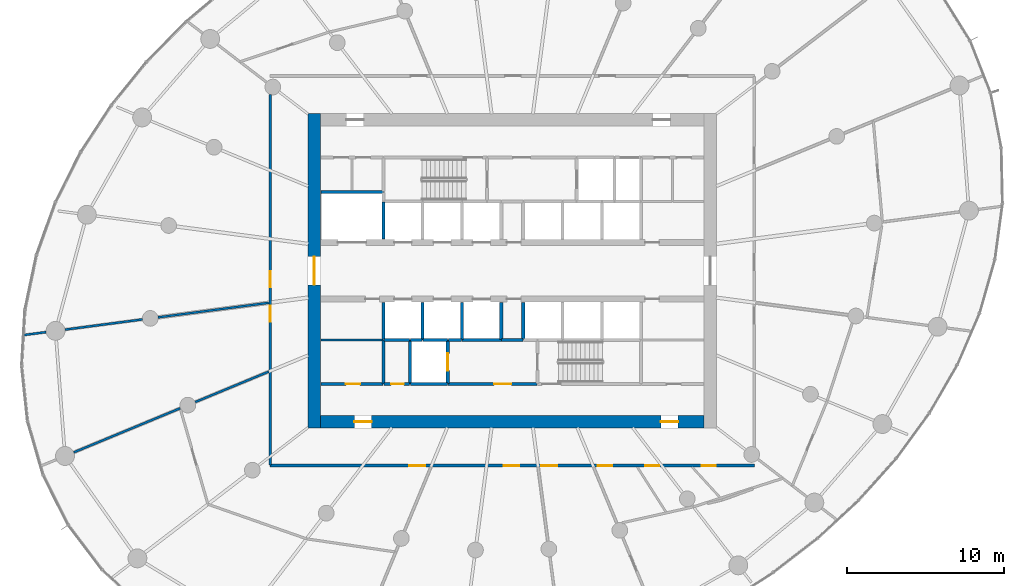
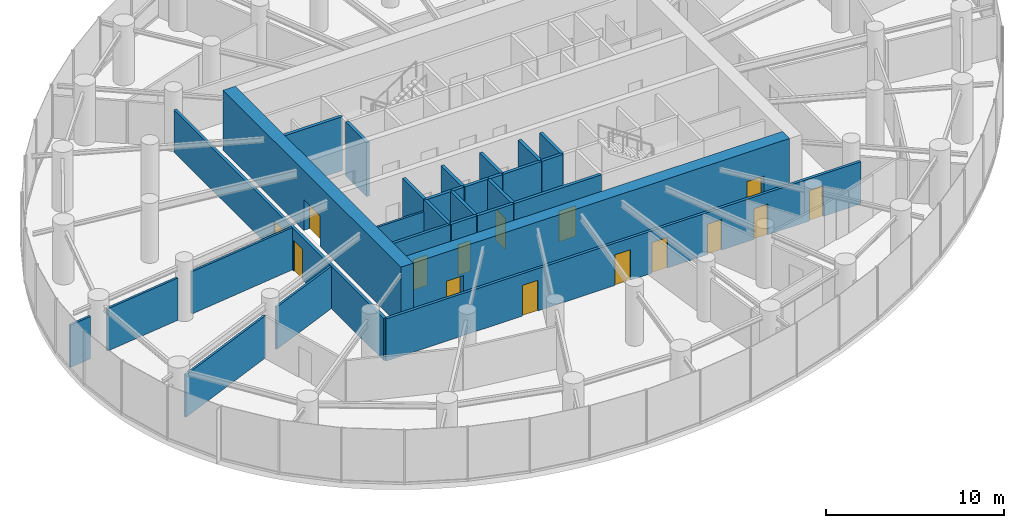
# One storey, part 10 of 17: 30 walls, 15 doors, 15 openings.
"""IFC4 building model written with IfcOpenShell, lengths in metres."""

from ifc_helpers import new_model, si_unit, direction, frame, frame_2d, origin, place, context, subcontext, project, spatial, rectangle, extrude, source, transform, mapped, material, layer, layer_set, type_object, element, fill, save


model = new_model("IFC4")

# Units and contexts
model_context = context("Model", 3, precision=1e-05, world=origin(), true_north=direction((0.0, 1.0)))
body_context = subcontext(model_context, "Body", "Model", "MODEL_VIEW")
ifc_project = project(units=[si_unit("LENGTHUNIT", "METRE"), si_unit("AREAUNIT", "SQUARE_METRE"), si_unit("VOLUMEUNIT", "CUBIC_METRE"), si_unit("PLANEANGLEUNIT", "RADIAN"), si_unit("MASSUNIT", "GRAM", prefix="KILO")], contexts=[model_context])

# Site, building, storey
site_placement = place(None, origin())
site = spatial("IfcSite", under=ifc_project, at=site_placement, CompositionType="ELEMENT")
building_placement = place(site_placement, origin())
building = spatial("IfcBuilding", under=site, at=building_placement, Name="Spindrift Exchange Tower", CompositionType="ELEMENT")
storey_placement = place(building_placement, frame((0.0, 0.0, 108.5)))
storey = spatial("IfcBuildingStorey", under=building, at=storey_placement, Name="L25", CompositionType="ELEMENT", Elevation=108.5)

# Wall, opening, door
ifc_material_1 = material(Name="Concrete 65 MPa", Category="concrete")
ifc_layer_1 = layer(ifc_material_1, 0.800048828125)
ifc_layer_set_1 = layer_set([ifc_layer_1], Name="RC Core Wall 800 Concrete 65 MPa")
wall_type_1 = type_object("IfcWallType", Name="RC Core Wall 800 Concrete 65 MPa", PredefinedType="SHEAR", material=ifc_layer_set_1)
wall_1_placement = place(storey_placement, frame((39.39990234375, 58.0, 0.0), z_axis=(0.0, 0.0, 1.0), x_axis=(0.0, -1.0, 0.0)))
wall_1 = element("IfcWall", 1, at=wall_1_placement, inside=storey, type_object=wall_type_1, Name="Core wall W L25", PredefinedType="SHEAR", context=body_context, shape_type="SweptSolid", body=[
    extrude(rectangle(XDim=20.0, YDim=0.800048828125, at=frame_2d((10.0, 0.0))), origin(), (0.0, 0.0, 1.0), 4.10009765625),
])
opening_1_placement = place(wall_1_placement, frame((9.10009765625, 0.0, 0.0)))
opening_1 = element("IfcOpeningElement", 2, at=opening_1_placement, cuts=wall_1, Name="Opening L25-D1", PredefinedType="OPENING", context=body_context, shape_type="SweptSolid", body=[
    extrude(rectangle(XDim=1.800048828125, YDim=2.10009765625, at=frame_2d((0.89990234375, 1.050048828125))), frame((0.0, 0.409912109375, 0.0), z_axis=(0.0, -1.0, 0.0), x_axis=(1.0, 0.0, 0.0)), (0.0, 0.0, 1.0), 0.820068359375),
])
ifc_material_2 = material(Name="Timber-core fire door", Category="wood")
door_type_1 = type_object("IfcDoorType", Name="DR-LOBBY-1800", OperationType="NOTDEFINED", PredefinedType="DOOR", material=ifc_material_2)
shared_shape_1 = source(origin(), body_context, "Body", "SweptSolid", [
    extrude(rectangle(XDim=1.800048828125, YDim=2.10009765625, at=frame_2d((0.89990234375, 1.050048828125))), frame((0.0, 0.02490234375, 0.0), z_axis=(0.0, -1.0, 0.0), x_axis=(1.0, 0.0, 0.0)), (0.0, 0.0, 1.0), 0.050048828125),
])
door_1_placement = place(opening_1_placement, origin())
door_1 = element("IfcDoor", 3, at=door_1_placement, inside=storey, type_object=door_type_1, Name="L25 Lobby door 1", OperationType="SINGLE_SWING_LEFT", OverallHeight=2.10009765625, OverallWidth=1.800048828125, PredefinedType="DOOR", context=body_context, shape_type="MappedRepresentation", body=[
    mapped(shared_shape_1, transform((0.0, 0.0, 0.0), scale=1.0)),
])
fill(opening_1, door_1)

# Wall, openings, doors
wall_2_placement = place(storey_placement, frame((39.800048828125, 38.39990234375, 0.0), z_axis=(0.0, 0.0, 1.0), x_axis=(1.0, 0.0, 0.0)))
wall_2 = element("IfcWall", 4, at=wall_2_placement, inside=storey, type_object=wall_type_1, Name="Core wall S L25", PredefinedType="SHEAR", context=body_context, shape_type="SweptSolid", body=[
    extrude(rectangle(XDim=24.39990234375, YDim=0.800048828125, at=frame_2d((12.199951171875, 0.0))), origin(), (0.0, 0.0, 1.0), 4.10009765625),
])
opening_2_placement = place(wall_2_placement, frame((21.64990234375, 0.0, 0.0)))
opening_2 = element("IfcOpeningElement", 5, at=opening_2_placement, cuts=wall_2, Name="Opening L25-D22", PredefinedType="OPENING", context=body_context, shape_type="SweptSolid", body=[
    extrude(rectangle(XDim=1.10009765625, YDim=2.10009765625, at=frame_2d((0.550048828125, 1.050048828125))), frame((0.0, 0.409912109375, 0.0), z_axis=(0.0, -1.0, 0.0), x_axis=(1.0, 0.0, 0.0)), (0.0, 0.0, 1.0), 0.820068359375),
])
opening_3_placement = place(wall_2_placement, frame((2.14990234375, 0.0, 0.0)))
opening_3 = element("IfcOpeningElement", 6, at=opening_3_placement, cuts=wall_2, Name="Opening L25-D23", PredefinedType="OPENING", context=body_context, shape_type="SweptSolid", body=[
    extrude(rectangle(XDim=1.10009765625, YDim=2.10009765625, at=frame_2d((0.550048828125, 1.050048828125))), frame((0.0, 0.409912109375, 0.0), z_axis=(0.0, -1.0, 0.0), x_axis=(1.0, 0.0, 0.0)), (0.0, 0.0, 1.0), 0.820068359375),
])
ifc_material_3 = material(Name="Steel fire door", Category="steel")
door_type_2 = type_object("IfcDoorType", Name="DR-STAIR-1100", OperationType="NOTDEFINED", PredefinedType="DOOR", material=ifc_material_3)
shared_shape_2 = source(origin(), body_context, "Body", "SweptSolid", [
    extrude(rectangle(XDim=1.10009765625, YDim=2.10009765625, at=frame_2d((0.550048828125, 1.050048828125))), frame((0.0, 0.02490234375, 0.0), z_axis=(0.0, -1.0, 0.0), x_axis=(1.0, 0.0, 0.0)), (0.0, 0.0, 1.0), 0.050048828125),
])
door_2_placement = place(opening_2_placement, origin())
door_2 = element("IfcDoor", 7, at=door_2_placement, inside=storey, type_object=door_type_2, Name="L25 Stair door 22", OperationType="SINGLE_SWING_RIGHT", OverallHeight=2.10009765625, OverallWidth=1.10009765625, PredefinedType="DOOR", context=body_context, shape_type="MappedRepresentation", body=[
    mapped(shared_shape_2, transform((0.0, 0.0, 0.0), scale=1.0)),
])
fill(opening_2, door_2)
door_3_placement = place(opening_3_placement, origin())
door_3 = element("IfcDoor", 8, at=door_3_placement, inside=storey, type_object=door_type_2, Name="L25 Stair door 23", OperationType="SINGLE_SWING_LEFT", OverallHeight=2.10009765625, OverallWidth=1.10009765625, PredefinedType="DOOR", context=body_context, shape_type="MappedRepresentation", body=[
    mapped(shared_shape_2, transform((0.0, 0.0, 0.0), scale=1.0)),
])
fill(opening_3, door_3)

# Wall, opening, door
ifc_material_4 = material(Name="Fire-rated plasterboard partition", Category="gypsum")
ifc_layer_2 = layer(ifc_material_4, 0.179931640625)
ifc_layer_set_2 = layer_set([ifc_layer_2], Name="W-CORR-180")
wall_type_2 = type_object("IfcWallType", Name="W-CORR-180", PredefinedType="PARTITIONING", material=ifc_layer_set_2)
wall_3_placement = place(storey_placement, frame((39.820068359375, 40.800048828125, 0.0), z_axis=(0.0, 0.0, 1.0), x_axis=(1.0, 0.0, 0.0)))
wall_3 = element("IfcWall", 9, at=wall_3_placement, inside=storey, type_object=wall_type_2, Name="L25 Partition wall 63", PredefinedType="PARTITIONING", context=body_context, shape_type="SweptSolid", body=[
    extrude(rectangle(XDim=3.949951171875, YDim=0.179931640625, at=frame_2d((1.97509765625, 0.0))), origin(), (0.0, 0.0, 1.0), 3.699951171875),
])
opening_4_placement = place(wall_3_placement, frame((1.60009765625, 0.0, 0.0)))
opening_4 = element("IfcOpeningElement", 10, at=opening_4_placement, cuts=wall_3, Name="Opening L25-D48", PredefinedType="OPENING", context=body_context, shape_type="SweptSolid", body=[
    extrude(rectangle(XDim=0.89990234375, YDim=2.10009765625, at=frame_2d((0.449951171875, 1.050048828125))), frame((0.0, 0.099853515625, 0.0), z_axis=(0.0, -1.0, 0.0), x_axis=(1.0, 0.0, 0.0)), (0.0, 0.0, 1.0), 0.199951171875),
])
ifc_material_5 = material(Name="Steel access door", Category="steel")
door_type_3 = type_object("IfcDoorType", Name="DR-RISER-900", OperationType="NOTDEFINED", PredefinedType="DOOR", material=ifc_material_5)
shared_shape_3 = source(origin(), body_context, "Body", "SweptSolid", [
    extrude(rectangle(XDim=0.89990234375, YDim=2.10009765625, at=frame_2d((0.449951171875, 1.050048828125))), frame((0.0, 0.02490234375, 0.0), z_axis=(0.0, -1.0, 0.0), x_axis=(1.0, 0.0, 0.0)), (0.0, 0.0, 1.0), 0.050048828125),
])
door_4_placement = place(opening_4_placement, origin())
door_4 = element("IfcDoor", 11, at=door_4_placement, inside=storey, type_object=door_type_3, Name="L25 Riser door 48", OperationType="SINGLE_SWING_RIGHT", OverallHeight=2.10009765625, OverallWidth=0.89990234375, PredefinedType="DOOR", context=body_context, shape_type="MappedRepresentation", body=[
    mapped(shared_shape_3, transform((0.0, 0.0, 0.0), scale=1.0)),
])
fill(opening_4, door_4)

# Walls
ifc_layer_3 = layer(ifc_material_4, 0.139892578125)
ifc_layer_set_3 = layer_set([ifc_layer_3], Name="W-PART-140")
wall_type_3 = type_object("IfcWallType", Name="W-PART-140", PredefinedType="PARTITIONING", material=ifc_layer_set_3)
wall_4_placement = place(storey_placement, frame((43.77001953125, 43.60009765625, 0.0), z_axis=(0.0, 0.0, 1.0), x_axis=(-1.0, 0.0, 0.0)))
element("IfcWall", 12, at=wall_4_placement, inside=storey, type_object=wall_type_3, Name="L25 Partition wall 94", PredefinedType="PARTITIONING", context=body_context, shape_type="SweptSolid", body=[
    extrude(rectangle(XDim=3.949951171875, YDim=0.139892578125, at=frame_2d((1.97509765625, 0.0))), origin(), (0.0, 0.0, 1.0), 2.89990234375),
])
ifc_layer_4 = layer(ifc_material_4, 0.139892578125)
ifc_layer_set_4 = layer_set([ifc_layer_4], Name="W-PLANT-140")
wall_type_4 = type_object("IfcWallType", Name="W-PLANT-140", PredefinedType="PARTITIONING", material=ifc_layer_set_4)
wall_5_placement = place(storey_placement, frame((30.8701171875, 39.247802734375, 0.0), z_axis=(0.0, 0.0, 1.0), x_axis=(-0.923871790576, -0.382702122514, 0.0)))
element("IfcWall", 13, at=wall_5_placement, inside=storey, type_object=wall_type_4, Name="L25 Partition wall 67", PredefinedType="PARTITIONING", context=body_context, shape_type="SweptSolid", body=[
    extrude(rectangle(XDim=7.32421875, YDim=0.139892578125, at=frame_2d((3.662109375, 0.0))), origin(), (0.0, 0.0, 1.0), 2.89990234375),
])
wall_6_placement = place(storey_placement, frame((36.510009765625, 45.960693359375, 0.0), z_axis=(0.0, 0.0, 1.0), x_axis=(-0.99144622305, -0.130515848849, 0.0)))
element("IfcWall", 14, at=wall_6_placement, inside=storey, type_object=wall_type_4, Name="L25 Partition wall 68", PredefinedType="PARTITIONING", context=body_context, shape_type="SweptSolid", body=[
    extrude(rectangle(XDim=7.1044921875, YDim=0.139892578125, at=frame_2d((3.55224609375, 0.0))), origin(), (0.0, 0.0, 1.0), 2.89990234375),
])
wall_7_placement = place(storey_placement, frame((36.510009765625, 41.583740234375, 0.0), z_axis=(0.0, 0.0, 1.0), x_axis=(-0.923890025086, -0.382658100067, 0.0)))
element("IfcWall", 15, at=wall_7_placement, inside=storey, type_object=wall_type_4, Name="L25 Partition wall 83", PredefinedType="PARTITIONING", context=body_context, shape_type="SweptSolid", body=[
    extrude(rectangle(XDim=5.068359375, YDim=0.139892578125, at=frame_2d((2.5341796875, 0.0))), origin(), (0.0, 0.0, 1.0), 2.89990234375),
])
wall_8_placement = place(storey_placement, frame((28.466064453125, 44.901611328125, 0.0), z_axis=(0.0, 0.0, 1.0), x_axis=(-0.991443414541, -0.130537181533, 0.0)))
element("IfcWall", 16, at=wall_8_placement, inside=storey, type_object=wall_type_4, Name="L25 Partition wall 85", PredefinedType="PARTITIONING", context=body_context, shape_type="SweptSolid", body=[
    extrude(rectangle(XDim=4.965576171875, YDim=0.139892578125, at=frame_2d((2.48291015625, 0.0))), origin(), (0.0, 0.0, 1.0), 2.89990234375),
])
wall_9_placement = place(storey_placement, frame((22.344482421875, 44.095703125, 0.0), z_axis=(0.0, 0.0, 1.0), x_axis=(-0.991440859851, -0.130556583206, 0.0)))
element("IfcWall", 17, at=wall_9_placement, inside=storey, type_object=wall_type_4, Name="L25 Partition wall 115", PredefinedType="PARTITIONING", context=body_context, shape_type="SweptSolid", body=[
    extrude(rectangle(XDim=1.423095703125, YDim=0.139892578125, at=frame_2d((0.71142578125, 0.0))), origin(), (0.0, 0.0, 1.0), 2.89990234375),
])

# Wall, openings, doors
ifc_layer_5 = layer(ifc_material_4, 0.179931640625)
ifc_layer_set_5 = layer_set([ifc_layer_5], Name="W-PLANT-180")
wall_type_5 = type_object("IfcWallType", Name="W-PLANT-180", PredefinedType="PARTITIONING", material=ifc_layer_set_5)
wall_10_placement = place(storey_placement, frame((67.39990234375, 35.60009765625, 0.0), z_axis=(0.0, 0.0, 1.0), x_axis=(-1.0, 0.0, 0.0)))
wall_10 = element("IfcWall", 18, at=wall_10_placement, inside=storey, type_object=wall_type_5, Name="L25 Partition wall 57", PredefinedType="PARTITIONING", context=body_context, shape_type="SweptSolid", body=[
    extrude(rectangle(XDim=30.7998046875, YDim=0.179931640625, at=frame_2d((15.39990234375, 0.0))), origin(), (0.0, 0.0, 1.0), 2.89990234375),
])
opening_5_placement = place(wall_10_placement, frame((9.050048828125, 0.0, 0.0)))
opening_5 = element("IfcOpeningElement", 19, at=opening_5_placement, cuts=wall_10, Name="Opening L25-D24", PredefinedType="OPENING", context=body_context, shape_type="SweptSolid", body=[
    extrude(rectangle(XDim=0.89990234375, YDim=2.10009765625, at=frame_2d((0.449951171875, 1.050048828125))), frame((0.0, 0.099853515625, 0.0), z_axis=(0.0, -1.0, 0.0), x_axis=(1.0, 0.0, 0.0)), (0.0, 0.0, 1.0), 0.199951171875),
])
opening_6_placement = place(wall_10_placement, frame((6.050048828125, 0.0, 0.0)))
opening_6 = element("IfcOpeningElement", 20, at=opening_6_placement, cuts=wall_10, Name="Opening L25-D25", PredefinedType="OPENING", context=body_context, shape_type="SweptSolid", body=[
    extrude(rectangle(XDim=0.89990234375, YDim=2.10009765625, at=frame_2d((0.449951171875, 1.050048828125))), frame((0.0, 0.099853515625, 0.0), z_axis=(0.0, -1.0, 0.0), x_axis=(1.0, 0.0, 0.0)), (0.0, 0.0, 1.0), 0.199951171875),
])
opening_7_placement = place(wall_10_placement, frame((2.449951171875, 0.0, 0.0)))
opening_7 = element("IfcOpeningElement", 21, at=opening_7_placement, cuts=wall_10, Name="Opening L25-D26", PredefinedType="OPENING", context=body_context, shape_type="SweptSolid", body=[
    extrude(rectangle(XDim=0.89990234375, YDim=2.10009765625, at=frame_2d((0.449951171875, 1.050048828125))), frame((0.0, 0.099853515625, 0.0), z_axis=(0.0, -1.0, 0.0), x_axis=(1.0, 0.0, 0.0)), (0.0, 0.0, 1.0), 0.199951171875),
])
opening_8_placement = place(wall_10_placement, frame((20.949951171875, 0.0, 0.0)))
opening_8 = element("IfcOpeningElement", 22, at=opening_8_placement, cuts=wall_10, Name="Opening L25-D41", PredefinedType="OPENING", context=body_context, shape_type="SweptSolid", body=[
    extrude(rectangle(XDim=1.0, YDim=2.10009765625, at=frame_2d((0.5, 1.050048828125))), frame((0.0, 0.099853515625, 0.0), z_axis=(0.0, -1.0, 0.0), x_axis=(1.0, 0.0, 0.0)), (0.0, 0.0, 1.0), 0.199951171875),
])
opening_9_placement = place(wall_10_placement, frame((14.949951171875, 0.0, 0.0)))
opening_9 = element("IfcOpeningElement", 23, at=opening_9_placement, cuts=wall_10, Name="Opening L25-D43", PredefinedType="OPENING", context=body_context, shape_type="SweptSolid", body=[
    extrude(rectangle(XDim=1.0, YDim=2.10009765625, at=frame_2d((0.5, 1.050048828125))), frame((0.0, 0.099853515625, 0.0), z_axis=(0.0, -1.0, 0.0), x_axis=(1.0, 0.0, 0.0)), (0.0, 0.0, 1.0), 0.199951171875),
])
opening_10_placement = place(wall_10_placement, frame((12.550048828125, 0.0, 0.0)))
opening_10 = element("IfcOpeningElement", 24, at=opening_10_placement, cuts=wall_10, Name="Opening L25-D44", PredefinedType="OPENING", context=body_context, shape_type="SweptSolid", body=[
    extrude(rectangle(XDim=1.0, YDim=2.10009765625, at=frame_2d((0.5, 1.050048828125))), frame((0.0, 0.099853515625, 0.0), z_axis=(0.0, -1.0, 0.0), x_axis=(1.0, 0.0, 0.0)), (0.0, 0.0, 1.0), 0.199951171875),
])
door_type_4 = type_object("IfcDoorType", Name="DR-ROOM-1000", OperationType="NOTDEFINED", PredefinedType="DOOR", material=ifc_material_2)
shared_shape_4 = source(origin(), body_context, "Body", "SweptSolid", [
    extrude(rectangle(XDim=1.0, YDim=2.10009765625, at=frame_2d((0.5, 1.050048828125))), frame((0.0, 0.02490234375, 0.0), z_axis=(0.0, -1.0, 0.0), x_axis=(1.0, 0.0, 0.0)), (0.0, 0.0, 1.0), 0.050048828125),
])
door_5_placement = place(opening_8_placement, origin())
door_5 = element("IfcDoor", 25, at=door_5_placement, inside=storey, type_object=door_type_4, Name="L25 Door 41", OperationType="SINGLE_SWING_LEFT", OverallHeight=2.10009765625, OverallWidth=1.0, PredefinedType="DOOR", context=body_context, shape_type="MappedRepresentation", body=[
    mapped(shared_shape_4, transform((0.0, 0.0, 0.0), scale=1.0)),
])
fill(opening_8, door_5)
door_6_placement = place(opening_9_placement, origin())
door_6 = element("IfcDoor", 26, at=door_6_placement, inside=storey, type_object=door_type_4, Name="L25 Door 43", OperationType="SINGLE_SWING_LEFT", OverallHeight=2.10009765625, OverallWidth=1.0, PredefinedType="DOOR", context=body_context, shape_type="MappedRepresentation", body=[
    mapped(shared_shape_4, transform((0.0, 0.0, 0.0), scale=1.0)),
])
fill(opening_9, door_6)
door_7_placement = place(opening_10_placement, origin())
door_7 = element("IfcDoor", 27, at=door_7_placement, inside=storey, type_object=door_type_4, Name="L25 Door 44", OperationType="SINGLE_SWING_RIGHT", OverallHeight=2.10009765625, OverallWidth=1.0, PredefinedType="DOOR", context=body_context, shape_type="MappedRepresentation", body=[
    mapped(shared_shape_4, transform((0.0, 0.0, 0.0), scale=1.0)),
])
fill(opening_10, door_7)
ifc_material_6 = material(Name="Laminate washroom door", Category="wood")
door_type_5 = type_object("IfcDoorType", Name="DR-WC-900", OperationType="NOTDEFINED", PredefinedType="DOOR", material=ifc_material_6)
shared_shape_5 = source(origin(), body_context, "Body", "SweptSolid", [
    extrude(rectangle(XDim=0.89990234375, YDim=2.10009765625, at=frame_2d((0.449951171875, 1.050048828125))), frame((0.0, 0.02490234375, 0.0), z_axis=(0.0, -1.0, 0.0), x_axis=(1.0, 0.0, 0.0)), (0.0, 0.0, 1.0), 0.050048828125),
])
door_8_placement = place(opening_5_placement, origin())
door_8 = element("IfcDoor", 28, at=door_8_placement, inside=storey, type_object=door_type_5, Name="L25 WC door 24", OperationType="SINGLE_SWING_RIGHT", OverallHeight=2.10009765625, OverallWidth=0.89990234375, PredefinedType="DOOR", context=body_context, shape_type="MappedRepresentation", body=[
    mapped(shared_shape_5, transform((0.0, 0.0, 0.0), scale=1.0)),
])
fill(opening_5, door_8)
door_9_placement = place(opening_6_placement, origin())
door_9 = element("IfcDoor", 29, at=door_9_placement, inside=storey, type_object=door_type_5, Name="L25 WC door 25", OperationType="SINGLE_SWING_LEFT", OverallHeight=2.10009765625, OverallWidth=0.89990234375, PredefinedType="DOOR", context=body_context, shape_type="MappedRepresentation", body=[
    mapped(shared_shape_5, transform((0.0, 0.0, 0.0), scale=1.0)),
])
fill(opening_6, door_9)
door_10_placement = place(opening_7_placement, origin())
door_10 = element("IfcDoor", 30, at=door_10_placement, inside=storey, type_object=door_type_5, Name="L25 WC door 26", OperationType="SINGLE_SWING_RIGHT", OverallHeight=2.10009765625, OverallWidth=0.89990234375, PredefinedType="DOOR", context=body_context, shape_type="MappedRepresentation", body=[
    mapped(shared_shape_5, transform((0.0, 0.0, 0.0), scale=1.0)),
])
fill(opening_7, door_10)

wall_11_placement = place(storey_placement, frame((36.60009765625, 35.6298828125, 0.0), z_axis=(0.0, 0.0, 1.0), x_axis=(0.0, 1.0, 0.0)))
wall_11 = element("IfcWall", 31, at=wall_11_placement, inside=storey, type_object=wall_type_5, Name="L25 Partition wall 60", PredefinedType="PARTITIONING", context=body_context, shape_type="SweptSolid", body=[
    extrude(rectangle(XDim=23.58251953125, YDim=0.179931640625, at=frame_2d((11.791259765625, 0.0))), origin(), (0.0, 0.0, 1.0), 2.89990234375),
])
opening_11_placement = place(wall_11_placement, frame((11.33251953125, 0.0, 0.0)))
opening_11 = element("IfcOpeningElement", 32, at=opening_11_placement, cuts=wall_11, Name="Opening L25-D39", PredefinedType="OPENING", context=body_context, shape_type="SweptSolid", body=[
    extrude(rectangle(XDim=1.0, YDim=2.10009765625, at=frame_2d((0.5, 1.050048828125))), frame((0.0, 0.099853515625, 0.0), z_axis=(0.0, -1.0, 0.0), x_axis=(1.0, 0.0, 0.0)), (0.0, 0.0, 1.0), 0.199951171875),
])
opening_12_placement = place(wall_11_placement, frame((9.132568359375, 0.0, 0.0)))
opening_12 = element("IfcOpeningElement", 33, at=opening_12_placement, cuts=wall_11, Name="Opening L25-D40", PredefinedType="OPENING", context=body_context, shape_type="SweptSolid", body=[
    extrude(rectangle(XDim=1.0, YDim=2.10009765625, at=frame_2d((0.5, 1.050048828125))), frame((0.0, 0.099853515625, 0.0), z_axis=(0.0, -1.0, 0.0), x_axis=(1.0, 0.0, 0.0)), (0.0, 0.0, 1.0), 0.199951171875),
])
door_11_placement = place(opening_11_placement, origin())
door_11 = element("IfcDoor", 34, at=door_11_placement, inside=storey, type_object=door_type_4, Name="L25 Door 39", OperationType="SINGLE_SWING_LEFT", OverallHeight=2.10009765625, OverallWidth=1.0, PredefinedType="DOOR", context=body_context, shape_type="MappedRepresentation", body=[
    mapped(shared_shape_4, transform((0.0, 0.0, 0.0), scale=1.0)),
])
fill(opening_11, door_11)
door_12_placement = place(opening_12_placement, origin())
door_12 = element("IfcDoor", 35, at=door_12_placement, inside=storey, type_object=door_type_4, Name="L25 Door 40", OperationType="SINGLE_SWING_RIGHT", OverallHeight=2.10009765625, OverallWidth=1.0, PredefinedType="DOOR", context=body_context, shape_type="MappedRepresentation", body=[
    mapped(shared_shape_4, transform((0.0, 0.0, 0.0), scale=1.0)),
])
fill(opening_12, door_12)

# Walls
ifc_material_7 = material(Name="Concrete 40 MPa", Category="concrete")
ifc_layer_6 = layer(ifc_material_7, 0.199951171875)
ifc_layer_set_6 = layer_set([ifc_layer_6], Name="W-SHAFT-200")
wall_type_6 = type_object("IfcWallType", Name="W-SHAFT-200", PredefinedType="SOLIDWALL", material=ifc_layer_set_6)
for number, where, z_axis, x_axis, name in (
    (36, (43.800048828125, 43.60009765625, 0.0), (0.0, 0.0, 1.0), (0.0, -1.0, 0.0), "L25 Shaft wall 6"),
    (37, (45.5, 43.60009765625, 0.0), (0.0, 0.0, 1.0), (0.0, -1.0, 0.0), "L25 Shaft wall 7"),
):
    element("IfcWall", number, at=place(storey_placement, frame(where, z_axis=z_axis, x_axis=x_axis)), inside=storey, type_object=wall_type_6, Name=name, PredefinedType="SOLIDWALL", context=body_context, shape_type="SweptSolid", body=[
        extrude(rectangle(XDim=2.800048828125, YDim=0.199951171875, at=frame_2d((1.39990234375, 0.0))), origin(), (0.0, 0.0, 1.0), 3.699951171875),
    ])

# Wall, opening, door
wall_12_placement = place(storey_placement, frame((47.89990234375, 40.830078125, 0.0), z_axis=(0.0, 0.0, 1.0), x_axis=(0.0, 1.0, 0.0)))
wall_12 = element("IfcWall", 38, at=wall_12_placement, inside=storey, type_object=wall_type_6, Name="L25 Shaft wall 8", PredefinedType="SOLIDWALL", context=body_context, shape_type="SweptSolid", body=[
    extrude(rectangle(XDim=2.77001953125, YDim=0.199951171875, at=frame_2d((1.385009765625, 0.0))), origin(), (0.0, 0.0, 1.0), 3.699951171875),
])
opening_13_placement = place(wall_12_placement, frame((0.820068359375, 0.0, 0.0)))
opening_13 = element("IfcOpeningElement", 39, at=opening_13_placement, cuts=wall_12, Name="Opening L25-D10", PredefinedType="OPENING", context=body_context, shape_type="SweptSolid", body=[
    extrude(rectangle(XDim=1.10009765625, YDim=2.10009765625, at=frame_2d((0.550048828125, 1.050048828125))), frame((0.0, 0.10986328125, 0.0), z_axis=(0.0, -1.0, 0.0), x_axis=(1.0, 0.0, 0.0)), (0.0, 0.0, 1.0), 0.219970703125),
])
ifc_material_8 = material(Name="Stainless steel landing door", Category="steel")
door_type_6 = type_object("IfcDoorType", Name="DR-LANDING-1100-SL", OperationType="DOUBLE_DOOR_SLIDING", PredefinedType="USERDEFINED", material=ifc_material_8)
shared_shape_6 = source(origin(), body_context, "Body", "SweptSolid", [
    extrude(rectangle(XDim=1.10009765625, YDim=2.10009765625, at=frame_2d((0.550048828125, 1.050048828125))), frame((0.0, 0.02490234375, 0.0), z_axis=(0.0, -1.0, 0.0), x_axis=(1.0, 0.0, 0.0)), (0.0, 0.0, 1.0), 0.050048828125),
])
door_13_placement = place(opening_13_placement, origin())
door_13 = element("IfcDoor", 40, at=door_13_placement, inside=storey, type_object=door_type_6, Name="L25 Lift landing door 10", ObjectType="LANDING DOOR", OperationType="DOUBLE_DOOR_SLIDING", OverallHeight=2.10009765625, OverallWidth=1.10009765625, PredefinedType="USERDEFINED", context=body_context, shape_type="MappedRepresentation", body=[
    mapped(shared_shape_6, transform((0.0, 0.0, 0.0), scale=1.0)),
])
fill(opening_13, door_13)

# Walls
wall_13_placement = place(storey_placement, frame((48.800048828125, 43.60009765625, 0.0), z_axis=(0.0, 0.0, 1.0), x_axis=(1.0, 0.0, 0.0)))
element("IfcWall", 41, at=wall_13_placement, inside=storey, type_object=wall_type_6, Name="L25 Shaft wall 17", PredefinedType="SOLIDWALL", context=body_context, shape_type="SweptSolid", body=[
    extrude(rectangle(XDim=2.5, YDim=0.199951171875, at=frame_2d((1.25, 0.0))), origin(), (0.0, 0.0, 1.0), 3.699951171875),
])
wall_14_placement = place(storey_placement, frame((45.530029296875, 40.800048828125, 0.0), z_axis=(0.0, 0.0, 1.0), x_axis=(1.0, 0.0, 0.0)))
element("IfcWall", 42, at=wall_14_placement, inside=storey, type_object=wall_type_6, Name="L25 Shaft wall 21", PredefinedType="SOLIDWALL", context=body_context, shape_type="SweptSolid", body=[
    extrude(rectangle(XDim=2.340087890625, YDim=0.199951171875, at=frame_2d((1.169921875, 0.0))), origin(), (0.0, 0.0, 1.0), 3.699951171875),
])
wall_15_placement = place(storey_placement, frame((43.800048828125, 45.989990234375, 0.0), z_axis=(0.0, 0.0, 1.0), x_axis=(0.0, -1.0, 0.0)))
element("IfcWall", 43, at=wall_15_placement, inside=storey, type_object=wall_type_6, Name="L25 Shaft wall 23", PredefinedType="SOLIDWALL", context=body_context, shape_type="SweptSolid", body=[
    extrude(rectangle(XDim=2.360107421875, YDim=0.199951171875, at=frame_2d((1.18017578125, 0.0))), origin(), (0.0, 0.0, 1.0), 3.699951171875),
])
wall_16_placement = place(storey_placement, frame((46.300048828125, 43.60009765625, 0.0), z_axis=(0.0, 0.0, 1.0), x_axis=(0.0, 1.0, 0.0)))
element("IfcWall", 44, at=wall_16_placement, inside=storey, type_object=wall_type_6, Name="L25 Shaft wall 25", PredefinedType="SOLIDWALL", context=body_context, shape_type="SweptSolid", body=[
    extrude(rectangle(XDim=2.389892578125, YDim=0.199951171875, at=frame_2d((1.19482421875, 0.0))), origin(), (0.0, 0.0, 1.0), 3.699951171875),
])
for number, where, z_axis, x_axis, name in (
    (45, (48.800048828125, 43.6298828125, 0.0), (0.0, 0.0, 1.0), (0.0, 1.0, 0.0), "L25 Shaft wall 27"),
    (46, (51.300048828125, 43.6298828125, 0.0), (0.0, 0.0, 1.0), (0.0, 1.0, 0.0), "L25 Shaft wall 29"),
):
    element("IfcWall", number, at=place(storey_placement, frame(where, z_axis=z_axis, x_axis=x_axis)), inside=storey, type_object=wall_type_6, Name=name, PredefinedType="SOLIDWALL", context=body_context, shape_type="SweptSolid", body=[
        extrude(rectangle(XDim=2.360107421875, YDim=0.199951171875, at=frame_2d((1.18017578125, 0.0))), origin(), (0.0, 0.0, 1.0), 3.699951171875),
    ])
wall_17_placement = place(storey_placement, frame((52.699951171875, 45.989990234375, 0.0), z_axis=(0.0, 0.0, 1.0), x_axis=(0.0, -1.0, 0.0)))
element("IfcWall", 47, at=wall_17_placement, inside=storey, type_object=wall_type_6, Name="L25 Shaft wall 31", PredefinedType="SOLIDWALL", context=body_context, shape_type="SweptSolid", body=[
    extrude(rectangle(XDim=2.389892578125, YDim=0.199951171875, at=frame_2d((1.19482421875, 0.0))), origin(), (0.0, 0.0, 1.0), 3.699951171875),
])
wall_18_placement = place(storey_placement, frame((43.830078125, 43.60009765625, 0.0), z_axis=(0.0, 0.0, 1.0), x_axis=(1.0, 0.0, 0.0)))
element("IfcWall", 48, at=wall_18_placement, inside=storey, type_object=wall_type_6, Name="L25 Shaft wall 40", PredefinedType="SOLIDWALL", context=body_context, shape_type="SweptSolid", body=[
    extrude(rectangle(XDim=1.639892578125, YDim=0.199951171875, at=frame_2d((0.81982421875, 0.0))), origin(), (0.0, 0.0, 1.0), 3.699951171875),
])

# Wall, opening, door
wall_19_placement = place(storey_placement, frame((43.830078125, 40.800048828125, 0.0), z_axis=(0.0, 0.0, 1.0), x_axis=(1.0, 0.0, 0.0)))
wall_19 = element("IfcWall", 49, at=wall_19_placement, inside=storey, type_object=wall_type_6, Name="L25 Shaft wall 41", PredefinedType="SOLIDWALL", context=body_context, shape_type="SweptSolid", body=[
    extrude(rectangle(XDim=1.639892578125, YDim=0.199951171875, at=frame_2d((0.81982421875, 0.0))), origin(), (0.0, 0.0, 1.0), 3.699951171875),
])
opening_14_placement = place(wall_19_placement, frame((0.469970703125, 0.0, 0.0)))
opening_14 = element("IfcOpeningElement", 50, at=opening_14_placement, cuts=wall_19, Name="Opening L25-D19", PredefinedType="OPENING", context=body_context, shape_type="SweptSolid", body=[
    extrude(rectangle(XDim=0.800048828125, YDim=2.10009765625, at=frame_2d((0.39990234375, 1.050048828125))), frame((0.0, 0.10986328125, 0.0), z_axis=(0.0, -1.0, 0.0), x_axis=(1.0, 0.0, 0.0)), (0.0, 0.0, 1.0), 0.219970703125),
])
door_type_7 = type_object("IfcDoorType", Name="DR-RISER-800", OperationType="NOTDEFINED", PredefinedType="DOOR", material=ifc_material_5)
shared_shape_7 = source(origin(), body_context, "Body", "SweptSolid", [
    extrude(rectangle(XDim=0.800048828125, YDim=2.10009765625, at=frame_2d((0.39990234375, 1.050048828125))), frame((0.0, 0.02490234375, 0.0), z_axis=(0.0, -1.0, 0.0), x_axis=(1.0, 0.0, 0.0)), (0.0, 0.0, 1.0), 0.050048828125),
])
door_14_placement = place(opening_14_placement, origin())
door_14 = element("IfcDoor", 51, at=door_14_placement, inside=storey, type_object=door_type_7, Name="L25 Riser door 19", OperationType="SINGLE_SWING_LEFT", OverallHeight=2.10009765625, OverallWidth=0.800048828125, PredefinedType="DOOR", context=body_context, shape_type="MappedRepresentation", body=[
    mapped(shared_shape_7, transform((0.0, 0.0, 0.0), scale=1.0)),
])
fill(opening_14, door_14)

# Walls
wall_20_placement = place(storey_placement, frame((46.330078125, 43.60009765625, 0.0), z_axis=(0.0, 0.0, 1.0), x_axis=(1.0, 0.0, 0.0)))
element("IfcWall", 52, at=wall_20_placement, inside=storey, type_object=wall_type_6, Name="L25 Shaft wall 44", PredefinedType="SOLIDWALL", context=body_context, shape_type="SweptSolid", body=[
    extrude(rectangle(XDim=1.5400390625, YDim=0.199951171875, at=frame_2d((0.77001953125, 0.0))), origin(), (0.0, 0.0, 1.0), 3.699951171875),
])
wall_21_placement = place(storey_placement, frame((52.669921875, 43.60009765625, 0.0), z_axis=(0.0, 0.0, 1.0), x_axis=(-1.0, 0.0, 0.0)))
element("IfcWall", 53, at=wall_21_placement, inside=storey, type_object=wall_type_6, Name="L25 Shaft wall 48", PredefinedType="SOLIDWALL", context=body_context, shape_type="SweptSolid", body=[
    extrude(rectangle(XDim=1.33984375, YDim=0.199951171875, at=frame_2d((0.669921875, 0.0))), origin(), (0.0, 0.0, 1.0), 3.699951171875),
])
wall_22_placement = place(storey_placement, frame((47.929931640625, 43.60009765625, 0.0), z_axis=(0.0, 0.0, 1.0), x_axis=(1.0, 0.0, 0.0)))
element("IfcWall", 54, at=wall_22_placement, inside=storey, type_object=wall_type_6, Name="L25 Shaft wall 50", PredefinedType="SOLIDWALL", context=body_context, shape_type="SweptSolid", body=[
    extrude(rectangle(XDim=0.840087890625, YDim=0.199951171875, at=frame_2d((0.419921875, 0.0))), origin(), (0.0, 0.0, 1.0), 3.699951171875),
])
wall_23_placement = place(storey_placement, frame((45.530029296875, 43.60009765625, 0.0), z_axis=(0.0, 0.0, 1.0), x_axis=(1.0, 0.0, 0.0)))
element("IfcWall", 55, at=wall_23_placement, inside=storey, type_object=wall_type_6, Name="L25 Shaft wall 54", PredefinedType="SOLIDWALL", context=body_context, shape_type="SweptSolid", body=[
    extrude(rectangle(XDim=0.739990234375, YDim=0.199951171875, at=frame_2d((0.3701171875, 0.0))), origin(), (0.0, 0.0, 1.0), 3.699951171875),
])

# Wall, opening, door
ifc_layer_7 = layer(ifc_material_7, 0.199951171875)
ifc_layer_set_7 = layer_set([ifc_layer_7], Name="W-SHAFT-200-LB")
wall_type_7 = type_object("IfcWallType", Name="W-SHAFT-200-LB", PredefinedType="SOLIDWALL", material=ifc_layer_set_7)
wall_24_placement = place(storey_placement, frame((47.89990234375, 40.800048828125, 0.0), z_axis=(0.0, 0.0, 1.0), x_axis=(1.0, 0.0, 0.0)))
wall_24 = element("IfcWall", 56, at=wall_24_placement, inside=storey, type_object=wall_type_7, Name="L25 Shaft wall 3", PredefinedType="SOLIDWALL", context=body_context, shape_type="SweptSolid", body=[
    extrude(rectangle(XDim=5.670166015625, YDim=0.199951171875, at=frame_2d((2.8349609375, 0.0))), origin(), (0.0, 0.0, 1.0), 3.699951171875),
])
opening_15_placement = place(wall_24_placement, frame((2.949951171875, 0.0, 0.0)))
opening_15 = element("IfcOpeningElement", 57, at=opening_15_placement, cuts=wall_24, Name="Opening L25-D18", PredefinedType="OPENING", context=body_context, shape_type="SweptSolid", body=[
    extrude(rectangle(XDim=1.10009765625, YDim=2.10009765625, at=frame_2d((0.550048828125, 1.050048828125))), frame((0.0, 0.10986328125, 0.0), z_axis=(0.0, -1.0, 0.0), x_axis=(1.0, 0.0, 0.0)), (0.0, 0.0, 1.0), 0.219970703125),
])
door_type_8 = type_object("IfcDoorType", Name="DR-LOBBY-1100", OperationType="NOTDEFINED", PredefinedType="DOOR", material=ifc_material_2)
shared_shape_8 = source(origin(), body_context, "Body", "SweptSolid", [
    extrude(rectangle(XDim=1.10009765625, YDim=2.10009765625, at=frame_2d((0.550048828125, 1.050048828125))), frame((0.0, 0.02490234375, 0.0), z_axis=(0.0, -1.0, 0.0), x_axis=(1.0, 0.0, 0.0)), (0.0, 0.0, 1.0), 0.050048828125),
])
door_15_placement = place(opening_15_placement, origin())
door_15 = element("IfcDoor", 58, at=door_15_placement, inside=storey, type_object=door_type_8, Name="L25 Lobby door 18", OperationType="SINGLE_SWING_RIGHT", OverallHeight=2.10009765625, OverallWidth=1.10009765625, PredefinedType="DOOR", context=body_context, shape_type="MappedRepresentation", body=[
    mapped(shared_shape_8, transform((0.0, 0.0, 0.0), scale=1.0)),
])
fill(opening_15, door_15)

# Walls
wall_25_placement = place(storey_placement, frame((43.800048828125, 53.0, 0.0), z_axis=(0.0, 0.0, 1.0), x_axis=(-1.0, 0.0, 0.0)))
element("IfcWall", 59, at=wall_25_placement, inside=storey, type_object=wall_type_7, Name="L25 Shaft wall 5", PredefinedType="SOLIDWALL", context=body_context, shape_type="SweptSolid", body=[
    extrude(rectangle(XDim=3.97998046875, YDim=0.199951171875, at=frame_2d((1.989990234375, 0.0))), origin(), (0.0, 0.0, 1.0), 3.699951171875),
])
wall_26_placement = place(storey_placement, frame((43.800048828125, 52.3701171875, 0.0), z_axis=(0.0, 0.0, 1.0), x_axis=(0.0, -1.0, 0.0)))
element("IfcWall", 60, at=wall_26_placement, inside=storey, type_object=wall_type_7, Name="L25 Shaft wall 24", PredefinedType="SOLIDWALL", context=body_context, shape_type="SweptSolid", body=[
    extrude(rectangle(XDim=2.360107421875, YDim=0.199951171875, at=frame_2d((1.18017578125, 0.0))), origin(), (0.0, 0.0, 1.0), 3.699951171875),
])

save(model, "model.ifc")
